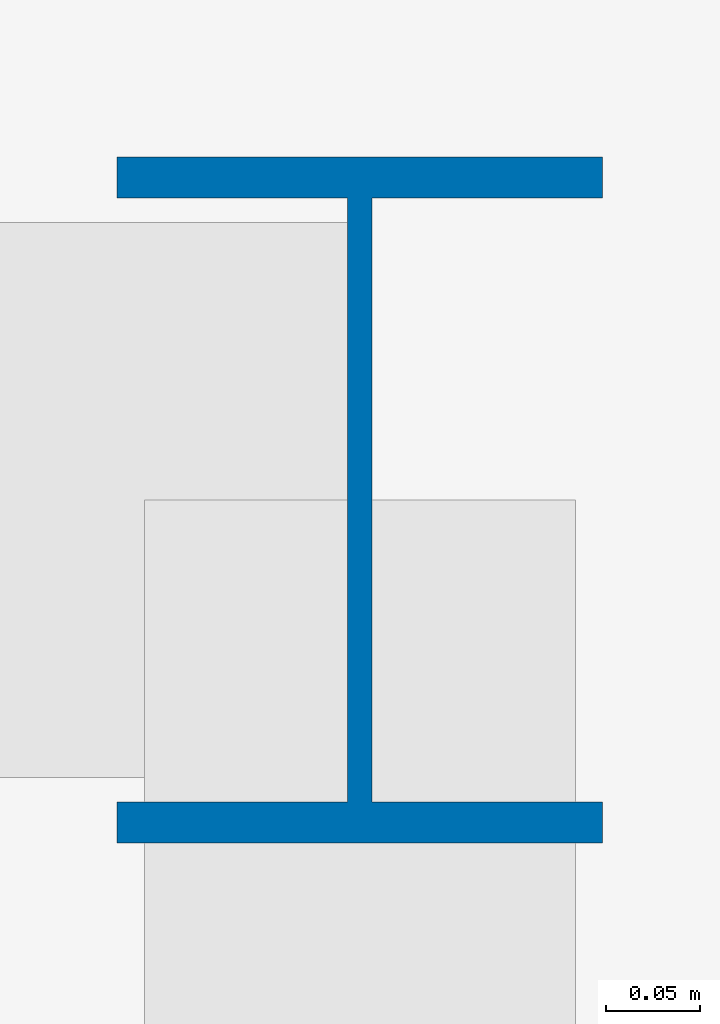
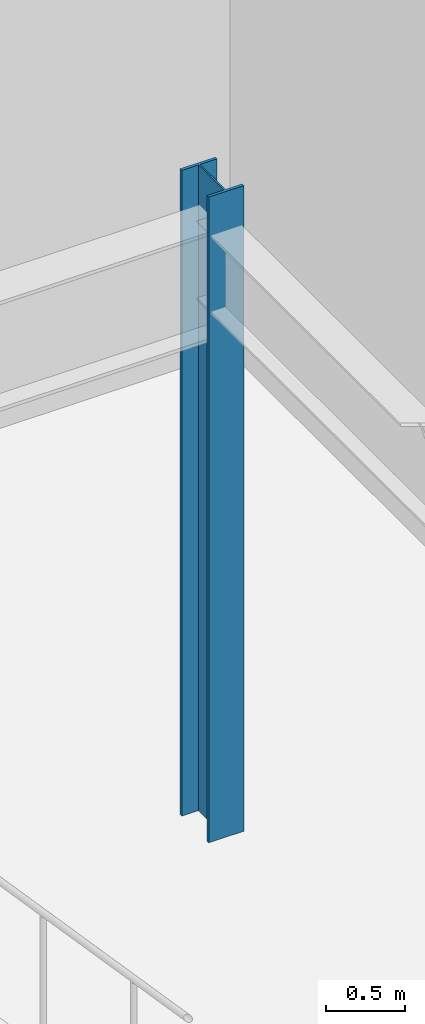
# One storey, part 6 of 16: 1 column.
"""IFC4 building model written with IfcOpenShell, lengths in metres."""

from ifc_helpers import new_model, si_unit, derived_unit, direction, frame, origin, origin_2d, place, context, subcontext, project, spatial, i_section, extrude, source, transform, mapped, material, material_profile, profile_set, type_object, element, save


model = new_model("IFC4")

# Units and contexts
model_context = context("Model", 3, precision=1e-05, world=origin(), true_north=direction((0.0, 1.0)))
body_context = subcontext(model_context, "Body", "Model", "MODEL_VIEW")
ifc_project = project(units=[si_unit("LENGTHUNIT", "METRE"), si_unit("AREAUNIT", "SQUARE_METRE"), si_unit("VOLUMEUNIT", "CUBIC_METRE"), si_unit("PLANEANGLEUNIT", "RADIAN"), si_unit("MASSUNIT", "GRAM", prefix="KILO"), derived_unit("THERMALTRANSMITTANCEUNIT", [(si_unit("POWERUNIT", "WATT"), 1), (si_unit("LENGTHUNIT", "METRE"), -2), (si_unit("THERMODYNAMICTEMPERATUREUNIT", "KELVIN"), -1)])], contexts=[model_context])

# Site, building, storey
site_placement = place(None, origin())
site = spatial("IfcSite", under=ifc_project, at=site_placement, CompositionType="ELEMENT")
building_placement = place(site_placement, origin())
building = spatial("IfcBuilding", under=site, at=building_placement, Name="Skarnbrae Concourse Arena and Tower", CompositionType="ELEMENT")
storey_placement = place(building_placement, frame((0.0, 0.0, -5.0)))
storey = spatial("IfcBuildingStorey", under=building, at=storey_placement, Name="B01", CompositionType="ELEMENT", Elevation=-5.0)

# Column
ifc_material = material(Name="Steel CSA G40.21 350W", Category="steel")
ifc_material_profile = material_profile(ifc_material, i_section(OverallWidth=0.257080078125, OverallDepth=0.363037109375, WebThickness=0.012939453125, FlangeThickness=0.021728515625, at=origin_2d()), Name="W360X122")
ifc_profile_set = profile_set([ifc_material_profile], Name="Steel CSA G40.21 350W")
column_type = type_object("IfcColumnType", Name="COL-POD-W360X122", PredefinedType="COLUMN", material=ifc_profile_set)
shared_shape = source(origin(), body_context, "Body", "SweptSolid", [
    extrude(i_section(OverallWidth=0.257080078125, OverallDepth=0.363037109375, WebThickness=0.012939453125, FlangeThickness=0.021728515625, at=origin_2d()), origin(), (0.0, 0.0, 1.0), 5.0),
])
column_placement = place(storey_placement, frame((78.5, 47.0, 0.0), z_axis=(0.0, 0.0, 1.0), x_axis=(1.0, 0.0, 0.0)))
element("IfcColumn", 1, at=column_placement, inside=storey, type_object=column_type, Name="B01 Podium mega-column PC-EP4", PredefinedType="COLUMN", context=body_context, shape_type="MappedRepresentation", body=[
    mapped(shared_shape, transform((0.0, 0.0, 0.0))),
])

save(model, "model.ifc")
